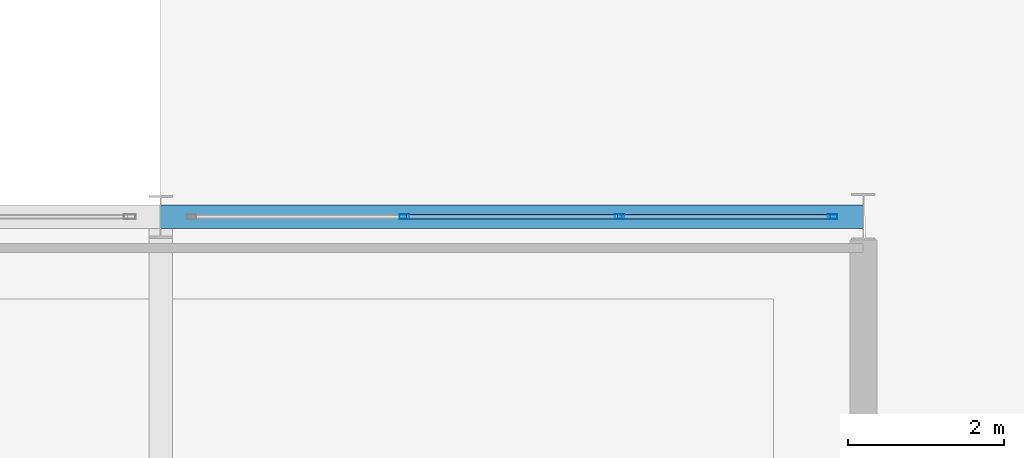
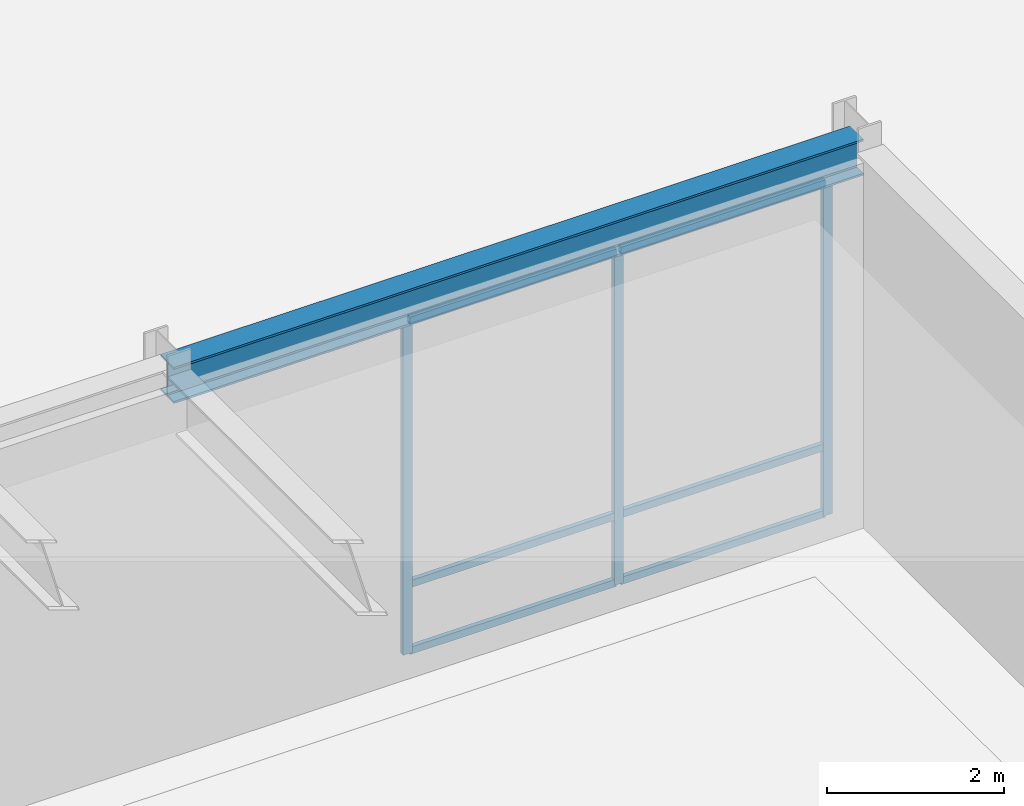
# One storey, part 97 of 143: 9 members, 1 beam, 1 element without a shape of its own.
"""IFC4 building model written with IfcOpenShell, lengths in metres."""

import ifcopenshell
import ifcopenshell.guid

model = None  # the IFC model being written
_history = None  # IfcOwnerHistory: only IFC2X3 demands one
_inside = {}  # id of a spatial element -> (the spatial element, [elements in it])
_under = {}  # id of a project, library or spatial element -> (it, [spatial elements below it])
_declared = {}  # id of a project -> (the project, [libraries it declares])
_typed = {}  # id of a type object -> (the type object, [elements of that type])
_made_of = {}  # id of a material, layer set ... -> (it, [elements and type objects made of it])


def new_model(schema):
    """Start an empty IFC model of exactly this schema.

    Asked for "IFC4X3", IfcOpenShell would pick the latest addendum, in which some entities
    have other attributes; the version numbers below select the first issue.
    IFC2X3 requires an IfcOwnerHistory on every rooted entity: one is made here for all.
    """
    global model, _history
    if schema == "IFC4X3":
        model = ifcopenshell.file(schema_version=(4, 3, 0, 0))
    else:
        model = ifcopenshell.file(schema=schema)
    _inside.clear()
    _under.clear()
    _declared.clear()
    _typed.clear()
    _made_of.clear()
    _history = None
    if model.schema == "IFC2X3":
        org = make("IfcOrganization", Name="unknown")
        user = make(
            "IfcPersonAndOrganization",
            ThePerson=make("IfcPerson", FamilyName="unknown"),
            TheOrganization=org,
        )
        app = make(
            "IfcApplication",
            ApplicationDeveloper=org,
            Version="unknown",
            ApplicationFullName="unknown",
            ApplicationIdentifier="unknown",
        )
        _history = make(
            "IfcOwnerHistory",
            OwningUser=user,
            OwningApplication=app,
            ChangeAction="ADDED",
            CreationDate=0,
        )
    return model


def make(cls, **values):
    """One entity of the class cls with the attributes given. An attribute that is None is left unset."""
    return model.create_entity(
        cls, **{name: value for name, value in values.items() if value is not None}
    )


def rooted(cls, **values):
    """An entity with a GlobalId (a new one), such as an element, a storey or a relation."""
    return make(cls, GlobalId=ifcopenshell.guid.new(), OwnerHistory=_history, **values)


def si_unit(unit_type, name, prefix=None):
    """IfcSIUnit, for example si_unit("LENGTHUNIT", "METRE", prefix="MILLI")."""
    return make("IfcSIUnit", UnitType=unit_type, Prefix=prefix, Name=name)


def assignment(units):
    """IfcUnitAssignment: the units of a project."""
    return None if units is None else make("IfcUnitAssignment", Units=units)


def point(xyz):
    """IfcCartesianPoint."""
    return None if xyz is None else make("IfcCartesianPoint", Coordinates=xyz)


def direction(xyz):
    """IfcDirection."""
    return None if xyz is None else make("IfcDirection", DirectionRatios=xyz)


def frame(location, z_axis=None, x_axis=None):
    """IfcAxis2Placement3D, a coordinate frame: its origin and axes. An axis left out is left unset."""
    return make(
        "IfcAxis2Placement3D",
        Location=point(location),
        Axis=direction(z_axis),
        RefDirection=direction(x_axis),
    )


def frame_2d(location, x_axis=None):
    """IfcAxis2Placement2D, a coordinate frame in the plane: its origin and x axis."""
    return make(
        "IfcAxis2Placement2D", Location=point(location), RefDirection=direction(x_axis)
    )


def origin():
    """The frame at (0, 0, 0) with its axes left unset."""
    return frame((0.0, 0.0, 0.0))


def origin_2d():
    """The frame at (0, 0) in the plane with its x axis left unset."""
    return frame_2d((0.0, 0.0))


def place(relative_to, where):
    """IfcLocalPlacement: puts the frame where relative to a parent placement (None: the world)."""
    return make(
        "IfcLocalPlacement", PlacementRelTo=relative_to, RelativePlacement=where
    )


def context(
    kind, dimensions, precision=None, world=None, true_north=None, identifier=None
):
    """IfcGeometricRepresentationContext, for example the 3D "Model" context."""
    return make(
        "IfcGeometricRepresentationContext",
        ContextIdentifier=identifier,
        ContextType=kind,
        CoordinateSpaceDimension=dimensions,
        Precision=precision,
        WorldCoordinateSystem=world,
        TrueNorth=true_north,
    )


def subcontext(parent, identifier, kind, view, scale=None):
    """IfcGeometricRepresentationSubContext, for example "Body" below "Model"."""
    return make(
        "IfcGeometricRepresentationSubContext",
        ContextIdentifier=identifier,
        ContextType=kind,
        ParentContext=parent,
        TargetScale=scale,
        TargetView=view,
    )


def project(units=None, contexts=None):
    """IfcProject with its units and contexts."""
    return rooted(
        "IfcProject",
        Name="project",
        RepresentationContexts=contexts,
        UnitsInContext=assignment(units),
    )


def spatial(cls, under=None, at=None, **own):
    """A site, building, storey or space (cls), placed at a placement, below another one or the project."""
    s = rooted(cls, ObjectPlacement=at, **own)
    if under is not None:
        _under.setdefault(under.id(), (under, []))[1].append(s)
    return s


def profile(cls, at=None, kind="AREA", **sizes):
    """A parametric profile (cls). Its sizes go by their IFC names, for example OverallWidth=200.0."""
    return make(cls, ProfileType=kind, Position=at, **sizes)


def hollow_rectangle(**sizes):
    """IfcRectangleHollowProfileDef."""
    return profile("IfcRectangleHollowProfileDef", **sizes)


def i_section(**sizes):
    """IfcIShapeProfileDef."""
    return profile("IfcIShapeProfileDef", **sizes)


def extrude(swept, where, along, depth):
    """IfcExtrudedAreaSolid: the profile swept, set in the frame where, extruded along a direction by depth."""
    return make(
        "IfcExtrudedAreaSolid",
        SweptArea=swept,
        Position=where,
        ExtrudedDirection=direction(along),
        Depth=depth,
    )


def shape(context_of_items, identifier, shape_type, items):
    """IfcShapeRepresentation: the items that make up one representation, for example the "Body"."""
    return make(
        "IfcShapeRepresentation",
        ContextOfItems=context_of_items,
        RepresentationIdentifier=identifier,
        RepresentationType=shape_type,
        Items=items,
    )


def material(Name=None, Category=None):
    """IfcMaterial."""
    return make("IfcMaterial", Name=Name, Category=Category)


def layer(
    of_material, thickness, ventilated=None, Name=None, Category=None, Priority=None
):
    """IfcMaterialLayer: one layer of a wall or slab, of a material (None: an air gap)."""
    return make(
        "IfcMaterialLayer",
        Material=of_material,
        LayerThickness=thickness,
        IsVentilated=ventilated,
        Name=Name,
        Category=Category,
        Priority=Priority,
    )


def layer_set(layers, Name=None):
    """IfcMaterialLayerSet."""
    return make("IfcMaterialLayerSet", MaterialLayers=layers, LayerSetName=Name)


def material_profile(
    of_material, cross_section, Name=None, Category=None, Priority=None
):
    """IfcMaterialProfile: a cross section and its material."""
    return make(
        "IfcMaterialProfile",
        Name=Name,
        Material=of_material,
        Profile=cross_section,
        Priority=Priority,
        Category=Category,
    )


def profile_set(profiles, Name=None, composite=None):
    """IfcMaterialProfileSet."""
    return make(
        "IfcMaterialProfileSet",
        Name=Name,
        MaterialProfiles=profiles,
        CompositeProfile=composite,
    )


def made_of(thing, what):
    """Note that an element or type object is made of a material, layer set ...; save() writes the relation."""
    if what is not None:
        _made_of.setdefault(what.id(), (what, []))[1].append(thing)
    return thing


def type_object(cls, material=None, **own):
    """A type object (cls), such as IfcWallType, which elements share."""
    return made_of(rooted(cls, **own), material)


def element(
    cls,
    number,
    at=None,
    inside=None,
    cuts=None,
    type_object=None,
    material=None,
    context=None,
    identifier="Body",
    shape_type=None,
    held_by="IfcProductDefinitionShape",
    body=None,
    shapes=None,
    **own,
):
    """One element of the class cls, such as IfcWall. Its Tag is "e" and its number.

    at: its placement. inside: the storey or other place that contains it. cuts: it is an
    opening in that element (IfcRelVoidsElement). A single representation is given by context,
    identifier, shape_type and body (its items); several are given by shapes. held_by: the class
    of the entity that holds the representations. save() writes the other relations.
    """
    e = rooted(cls, Tag="e%d" % number, ObjectPlacement=at, **own)
    if body is not None:
        shapes = [shape(context, identifier, shape_type, body)]
    if shapes is not None:
        e.Representation = make(held_by, Representations=shapes)
    if inside is not None:
        _inside.setdefault(inside.id(), (inside, []))[1].append(e)
    if cuts is not None:
        rooted(
            "IfcRelVoidsElement", RelatingBuildingElement=cuts, RelatedOpeningElement=e
        )
    if type_object is not None:
        _typed.setdefault(type_object.id(), (type_object, []))[1].append(e)
    return made_of(e, material)


def aggregate(whole, parts):
    """IfcRelAggregates: a whole, such as a stair, and the parts it consists of."""
    return rooted("IfcRelAggregates", RelatingObject=whole, RelatedObjects=parts)


def save(model, path):
    """Write the relations noted so far, then the file.

    IfcRelAggregates (storeys below a building ...), IfcRelContainedInSpatialStructure (elements
    in a storey), IfcRelDefinesByType, IfcRelAssociatesMaterial and IfcRelDeclares: one each for
    every whole, place, type object, material and project.
    """
    for whole, parts in _under.values():
        aggregate(whole, parts)
    for where, things in _inside.values():
        rooted(
            "IfcRelContainedInSpatialStructure",
            RelatedElements=things,
            RelatingStructure=where,
        )
    for kind, things in _typed.values():
        rooted("IfcRelDefinesByType", RelatedObjects=things, RelatingType=kind)
    for what, things in _made_of.values():
        rooted("IfcRelAssociatesMaterial", RelatedObjects=things, RelatingMaterial=what)
    for by, libraries in _declared.values():
        rooted("IfcRelDeclares", RelatingContext=by, RelatedDefinitions=libraries)
    model.write(path)


model = new_model("IFC4")

# Units and contexts
model_context = context("Model", 3, precision=1e-05, world=origin(), true_north=direction((0.0, 1.0)))
body_context = subcontext(model_context, "Body", "Model", "MODEL_VIEW")
ifc_project = project(units=[si_unit("LENGTHUNIT", "METRE"), si_unit("AREAUNIT", "SQUARE_METRE"), si_unit("VOLUMEUNIT", "CUBIC_METRE"), si_unit("PLANEANGLEUNIT", "RADIAN"), si_unit("MASSUNIT", "GRAM", prefix="KILO")], contexts=[model_context])

# Site, building, storey
site_placement = place(None, origin())
site = spatial("IfcSite", under=ifc_project, at=site_placement, CompositionType="ELEMENT")
building_placement = place(site_placement, origin())
building = spatial("IfcBuilding", under=site, at=building_placement, Name="Montelvaro Courts of Justice", CompositionType="ELEMENT")
storey_placement = place(building_placement, origin())
storey = spatial("IfcBuildingStorey", under=building, at=storey_placement, Name="L00", CompositionType="ELEMENT", Elevation=0.0)

# Beam
ifc_material_1 = material(Name="Steel S355", Category="steel")
ifc_material_profile_1 = material_profile(ifc_material_1, i_section(OverallWidth=0.300048828125, OverallDepth=0.5, WebThickness=0.014404296875, FlangeThickness=0.028076171875, at=origin_2d()), Name="HEB 500")
ifc_profile_set_1 = profile_set([ifc_material_profile_1], Name="Steel S355")
beam_type = type_object("IfcBeamType", Name="Beam_HEB500", PredefinedType="USERDEFINED", material=ifc_profile_set_1)
beam_placement = place(storey_placement, frame((135.0, 42.0, 4.8701171875), z_axis=(1.0, 0.0, 0.0), x_axis=(0.0, 1.0, 0.0)))
element("IfcBeam", 1, at=beam_placement, inside=storey, type_object=beam_type, Name="Beam B-25 L00", ObjectType="GIRDER", PredefinedType="USERDEFINED", context=body_context, shape_type="SweptSolid", body=[
    extrude(i_section(OverallWidth=0.300048828125, OverallDepth=0.5, WebThickness=0.014404296875, FlangeThickness=0.028076171875, at=origin_2d()), origin(), (0.0, 0.0, 1.0), 9.0),
])

# Curtain wall, members
ifc_material_2 = material(Name="Anodised aluminium EN AW-6063", Category="aluminium")
ifc_layer = layer(ifc_material_2, 0.159912109375)
ifc_layer_set = layer_set([ifc_layer], Name="Anodised aluminium EN AW-6063")
curtain_wall_type = type_object("IfcCurtainWallType", Name="CurtainWall_01_827x508", PredefinedType="USERDEFINED", material=ifc_layer_set)
curtain_wall_placement = place(storey_placement, origin())
curtain_wall = element("IfcCurtainWall", 2, at=curtain_wall_placement, inside=storey, type_object=curtain_wall_type, Name="Curtain Wall CW-01 (L00)", ObjectType="CURTAIN WALL", PredefinedType="USERDEFINED")
ifc_material_profile_2 = material_profile(ifc_material_2, hollow_rectangle(XDim=0.06005859375, YDim=0.1201171875, WallThickness=0.00341796875, at=origin_2d()), Name="ALU-M 60x120")
ifc_profile_set_2 = profile_set([ifc_material_profile_2], Name="Anodised aluminium EN AW-6063")
member_type_1 = type_object("IfcMemberType", Name="CurtainWall_Mullion_60x120", PredefinedType="MULLION", material=ifc_profile_set_2)
member_1_placement = place(storey_placement, frame((143.60498046875, 42.0, 0.0), z_axis=(0.0, 0.0, 1.0), x_axis=(0.0, -1.0, 0.0)))
member_1 = element("IfcMember", 3, at=member_1_placement, type_object=member_type_1, Name="CW-01 mullion 1", PredefinedType="MULLION", context=body_context, shape_type="SweptSolid", body=[
    extrude(hollow_rectangle(XDim=0.06005859375, YDim=0.1201171875, WallThickness=0.00341796875, at=origin_2d()), origin(), (0.0, 0.0, 1.0), 4.614990234375),
])
member_2_placement = place(storey_placement, frame((140.87841796875, 42.0, 0.0), z_axis=(0.0, 0.0, 1.0), x_axis=(0.0, -1.0, 0.0)))
member_2 = element("IfcMember", 4, at=member_2_placement, type_object=member_type_1, Name="CW-01 mullion 2", PredefinedType="MULLION", context=body_context, shape_type="SweptSolid", body=[
    extrude(hollow_rectangle(XDim=0.06005859375, YDim=0.1201171875, WallThickness=0.00341796875, at=origin_2d()), origin(), (0.0, 0.0, 1.0), 4.614990234375),
])
member_3_placement = place(storey_placement, frame((138.12158203125, 42.0, 0.0), z_axis=(0.0, 0.0, 1.0), x_axis=(0.0, -1.0, 0.0)))
member_3 = element("IfcMember", 5, at=member_3_placement, type_object=member_type_1, Name="CW-01 mullion 3", PredefinedType="MULLION", context=body_context, shape_type="SweptSolid", body=[
    extrude(hollow_rectangle(XDim=0.06005859375, YDim=0.1201171875, WallThickness=0.00341796875, at=origin_2d()), origin(), (0.0, 0.0, 1.0), 4.614990234375),
])
ifc_material_profile_3 = material_profile(ifc_material_2, hollow_rectangle(XDim=0.06005859375, YDim=0.10009765625, WallThickness=0.00341796875, at=origin_2d()), Name="ALU-T 60x100")
ifc_profile_set_3 = profile_set([ifc_material_profile_3], Name="Anodised aluminium EN AW-6063")
member_type_2 = type_object("IfcMemberType", Name="CurtainWall_Transom_60x100", PredefinedType="USERDEFINED", material=ifc_profile_set_3)
member_4_placement = place(storey_placement, frame((143.574951171875, 42.0, 0.030029296875), z_axis=(-1.0, 0.0, 0.0), x_axis=(0.0, -1.0, 0.0)))
member_4 = element("IfcMember", 6, at=member_4_placement, type_object=member_type_2, Name="CW-01 transom 1.1", ObjectType="TRANSOM", PredefinedType="USERDEFINED", context=body_context, shape_type="SweptSolid", body=[
    extrude(hollow_rectangle(XDim=0.06005859375, YDim=0.10009765625, WallThickness=0.00341796875, at=origin_2d()), origin(), (0.0, 0.0, 1.0), 2.66650390625),
])
member_5_placement = place(storey_placement, frame((143.574951171875, 42.0, 0.949951171875), z_axis=(-1.0, 0.0, 0.0), x_axis=(0.0, -1.0, 0.0)))
member_5 = element("IfcMember", 7, at=member_5_placement, type_object=member_type_2, Name="CW-01 transom 1.2", ObjectType="TRANSOM", PredefinedType="USERDEFINED", context=body_context, shape_type="SweptSolid", body=[
    extrude(hollow_rectangle(XDim=0.06005859375, YDim=0.10009765625, WallThickness=0.00341796875, at=origin_2d()), origin(), (0.0, 0.0, 1.0), 2.66650390625),
])
member_6_placement = place(storey_placement, frame((143.574951171875, 42.0, 4.5849609375), z_axis=(-1.0, 0.0, 0.0), x_axis=(0.0, -1.0, 0.0)))
member_6 = element("IfcMember", 8, at=member_6_placement, type_object=member_type_2, Name="CW-01 transom 1.3", ObjectType="TRANSOM", PredefinedType="USERDEFINED", context=body_context, shape_type="SweptSolid", body=[
    extrude(hollow_rectangle(XDim=0.06005859375, YDim=0.10009765625, WallThickness=0.00341796875, at=origin_2d()), origin(), (0.0, 0.0, 1.0), 2.66650390625),
])
member_7_placement = place(storey_placement, frame((140.848388671875, 42.0, 0.030029296875), z_axis=(-1.0, 0.0, 0.0), x_axis=(0.0, -1.0, 0.0)))
member_7 = element("IfcMember", 9, at=member_7_placement, type_object=member_type_2, Name="CW-01 transom 2.1", ObjectType="TRANSOM", PredefinedType="USERDEFINED", context=body_context, shape_type="SweptSolid", body=[
    extrude(hollow_rectangle(XDim=0.06005859375, YDim=0.10009765625, WallThickness=0.00341796875, at=origin_2d()), origin(), (0.0, 0.0, 1.0), 2.69677734375),
])
member_8_placement = place(storey_placement, frame((140.848388671875, 42.0, 0.949951171875), z_axis=(-1.0, 0.0, 0.0), x_axis=(0.0, -1.0, 0.0)))
member_8 = element("IfcMember", 10, at=member_8_placement, type_object=member_type_2, Name="CW-01 transom 2.2", ObjectType="TRANSOM", PredefinedType="USERDEFINED", context=body_context, shape_type="SweptSolid", body=[
    extrude(hollow_rectangle(XDim=0.06005859375, YDim=0.10009765625, WallThickness=0.00341796875, at=origin_2d()), origin(), (0.0, 0.0, 1.0), 2.69677734375),
])
member_9_placement = place(storey_placement, frame((140.848388671875, 42.0, 4.5849609375), z_axis=(-1.0, 0.0, 0.0), x_axis=(0.0, -1.0, 0.0)))
member_9 = element("IfcMember", 11, at=member_9_placement, type_object=member_type_2, Name="CW-01 transom 2.3", ObjectType="TRANSOM", PredefinedType="USERDEFINED", context=body_context, shape_type="SweptSolid", body=[
    extrude(hollow_rectangle(XDim=0.06005859375, YDim=0.10009765625, WallThickness=0.00341796875, at=origin_2d()), origin(), (0.0, 0.0, 1.0), 2.69677734375),
])
aggregate(curtain_wall, [member_1, member_2, member_3, member_4, member_5, member_6, member_7, member_8, member_9])

save(model, "model.ifc")
